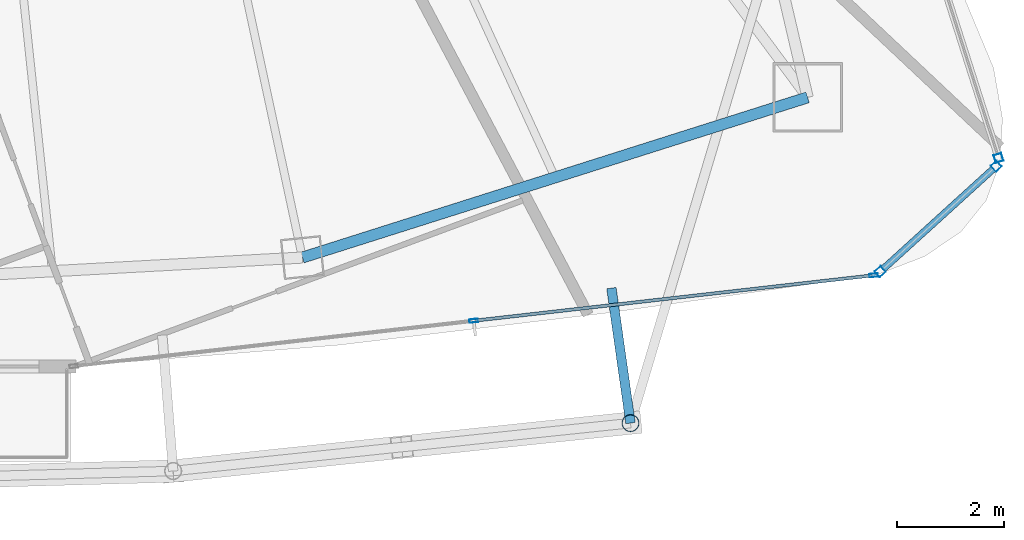
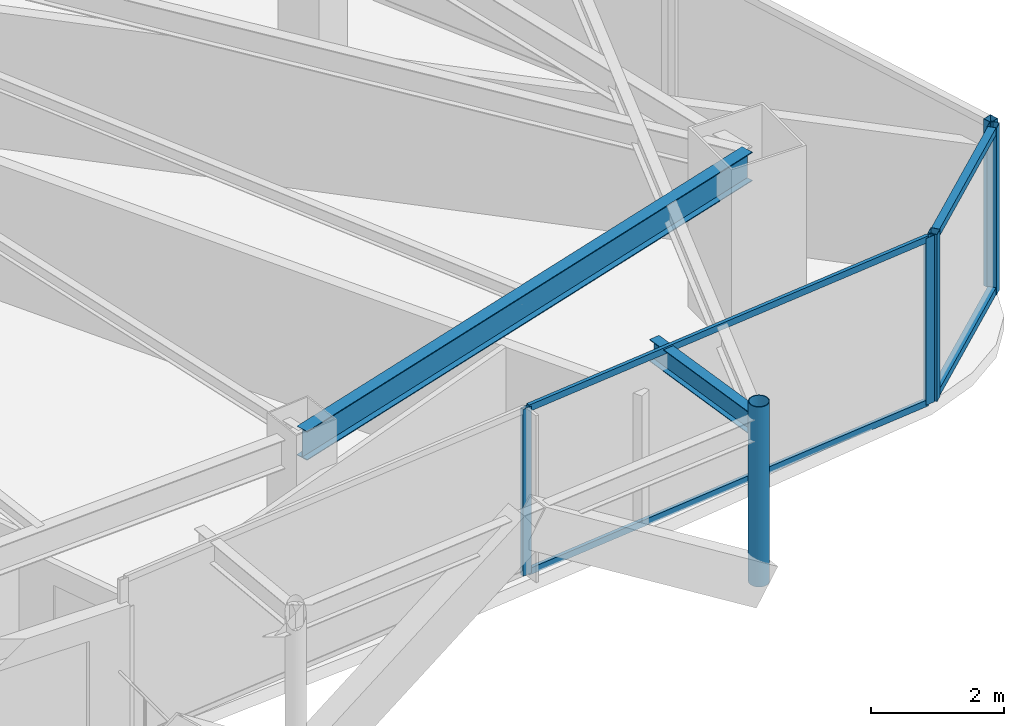
# One storey, part 14 of 30: 10 members, 2 beams, 3 elements without a shape of their own.
"""IFC4 building model written with IfcOpenShell, lengths in metres."""

from ifc_helpers import new_model, si_unit, direction, frame, origin, origin_2d, place, context, subcontext, project, spatial, hollow_rectangle, hollow_circle, i_section, extrude, material, layer, layer_set, material_profile, profile_set, type_object, element, aggregate, save


model = new_model("IFC4")

# Units and contexts
model_context = context("Model", 3, precision=1e-05, world=origin(), true_north=direction((0.0, 1.0)))
body_context = subcontext(model_context, "Body", "Model", "MODEL_VIEW")
ifc_project = project(units=[si_unit("LENGTHUNIT", "METRE"), si_unit("AREAUNIT", "SQUARE_METRE"), si_unit("VOLUMEUNIT", "CUBIC_METRE"), si_unit("PLANEANGLEUNIT", "RADIAN"), si_unit("MASSUNIT", "GRAM", prefix="KILO")], contexts=[model_context])

# Site, building, storey
site_placement = place(None, origin())
site = spatial("IfcSite", under=ifc_project, at=site_placement, CompositionType="ELEMENT")
building_placement = place(site_placement, origin())
building = spatial("IfcBuilding", under=site, at=building_placement, Name="Orvanel Arch Residences", CompositionType="ELEMENT")
storey_placement = place(building_placement, frame((0.0, 0.0, 240.35009765625)))
storey = spatial("IfcBuildingStorey", under=building, at=storey_placement, Name="L68", CompositionType="ELEMENT", Elevation=240.35009765625)

# Curtain wall, members
ifc_material_1 = material(Name="Bronze-anodised aluminium AA6063-T6", Category="aluminium")
ifc_layer_1 = layer(ifc_material_1, 0.18994140625)
ifc_layer_set_1 = layer_set([ifc_layer_1], Name="Bronze-anodised aluminium AA6063-T6")
curtain_wall_type_1 = type_object("IfcCurtainWallType", Name="CW5-CRN-SYS", PredefinedType="NOTDEFINED", material=ifc_layer_set_1)
curtain_wall_1_placement = place(storey_placement, origin())
curtain_wall_1 = element("IfcCurtainWall", 1, at=curtain_wall_1_placement, inside=storey, type_object=curtain_wall_type_1, Name="L68 CW5-CRN-SYS Unitised Curtain Wall", PredefinedType="NOTDEFINED")
ifc_material_profile_1 = material_profile(ifc_material_1, hollow_rectangle(XDim=0.14990234375, YDim=0.14990234375, WallThickness=0.0048828125, at=origin_2d()), Name="ALU150x150x5")
ifc_profile_set_1 = profile_set([ifc_material_profile_1], Name="Bronze-anodised aluminium AA6063-T6")
member_type_1 = type_object("IfcMemberType", Name="MUL-150x150", PredefinedType="MULLION", material=ifc_profile_set_1)
member_1_placement = place(storey_placement, frame((53.159423828125, 7.092529296875, 0.0), z_axis=(0.0, 0.0, 1.0), x_axis=(-0.672382005775, 0.740204322001, 0.0)))
member_1 = element("IfcMember", 2, at=member_1_placement, type_object=member_type_1, Name="CW-S5 mullion 1", PredefinedType="MULLION", context=body_context, shape_type="SweptSolid", body=[
    extrude(hollow_rectangle(XDim=0.14990234375, YDim=0.14990234375, WallThickness=0.0048828125, at=origin_2d()), origin(), (0.0, 0.0, 1.0), 3.059814453125),
])
member_2_placement = place(storey_placement, frame((55.32958984375, 9.0634765625, 0.0), z_axis=(0.0, 0.0, 1.0), x_axis=(-0.672382005775, 0.740204322001, 0.0)))
member_2 = element("IfcMember", 3, at=member_2_placement, type_object=member_type_1, Name="CW-S5 mullion 2", PredefinedType="MULLION", context=body_context, shape_type="SweptSolid", body=[
    extrude(hollow_rectangle(XDim=0.14990234375, YDim=0.14990234375, WallThickness=0.0048828125, at=origin_2d()), origin(), (0.0, 0.0, 1.0), 3.059814453125),
])

# Curtain wall, member
curtain_wall_2_placement = place(storey_placement, origin())
curtain_wall_2 = element("IfcCurtainWall", 4, at=curtain_wall_2_placement, inside=storey, type_object=curtain_wall_type_1, Name="L68 CW5-CRN-SYS Unitised Curtain Wall", PredefinedType="NOTDEFINED")
member_3_placement = place(storey_placement, frame((55.371337890625, 9.217529296875, 0.0), z_axis=(0.0, 0.0, 1.0), x_axis=(-0.952801726678, -0.303593263494, 0.0)))
member_3 = element("IfcMember", 5, at=member_3_placement, type_object=member_type_1, Name="CW-S5 mullion 1", PredefinedType="MULLION", context=body_context, shape_type="SweptSolid", body=[
    extrude(hollow_rectangle(XDim=0.14990234375, YDim=0.14990234375, WallThickness=0.0048828125, at=origin_2d()), origin(), (0.0, 0.0, 1.0), 3.059814453125),
])
aggregate(curtain_wall_2, [member_3])

# Curtain wall, members
ifc_layer_2 = layer(ifc_material_1, 0.175048828125)
ifc_layer_set_2 = layer_set([ifc_layer_2], Name="Bronze-anodised aluminium AA6063-T6")
curtain_wall_type_2 = type_object("IfcCurtainWallType", Name="CW4-HI-SYS", PredefinedType="NOTDEFINED", material=ifc_layer_set_2)
curtain_wall_3_placement = place(storey_placement, origin())
curtain_wall_3 = element("IfcCurtainWall", 6, at=curtain_wall_3_placement, inside=storey, type_object=curtain_wall_type_2, Name="L68 CW4-HI-SYS Unitised Curtain Wall", PredefinedType="NOTDEFINED")
ifc_material_profile_2 = material_profile(ifc_material_1, hollow_rectangle(XDim=0.06494140625, YDim=0.159912109375, WallThickness=0.00390625, at=origin_2d()), Name="ALU160x65x4")
ifc_profile_set_2 = profile_set([ifc_material_profile_2], Name="Bronze-anodised aluminium AA6063-T6")
member_type_2 = type_object("IfcMemberType", Name="MUL-160x65", PredefinedType="MULLION", material=ifc_profile_set_2)
member_4_placement = place(storey_placement, frame((45.555419921875, 6.172607421875, 0.0), z_axis=(0.0, 0.0, 1.0), x_axis=(-0.113000186209, 0.993594966733, 0.0)))
member_4 = element("IfcMember", 7, at=member_4_placement, type_object=member_type_2, Name="CW-S4 mullion 2", PredefinedType="MULLION", context=body_context, shape_type="SweptSolid", body=[
    extrude(hollow_rectangle(XDim=0.06494140625, YDim=0.159912109375, WallThickness=0.00390625, at=origin_2d()), origin(), (0.0, 0.0, 1.0), 3.059814453125),
])
member_5_placement = place(storey_placement, frame((53.03662109375, 7.0234375, 0.0), z_axis=(0.0, 0.0, 1.0), x_axis=(-0.113000186209, 0.993594966733, 0.0)))
member_5 = element("IfcMember", 8, at=member_5_placement, type_object=member_type_2, Name="CW-S4 mullion 3", PredefinedType="MULLION", context=body_context, shape_type="SweptSolid", body=[
    extrude(hollow_rectangle(XDim=0.06494140625, YDim=0.159912109375, WallThickness=0.00390625, at=origin_2d()), origin(), (0.0, 0.0, 1.0), 3.059814453125),
])

# Beams
ifc_material_2 = material(Name="Structural steel AS/NZS 3679.1 Grade 300 (300 MPa)", Category="steel")
ifc_material_profile_3 = material_profile(ifc_material_2, i_section(OverallWidth=0.177978515625, OverallDepth=0.406005859375, WebThickness=0.0078125, FlangeThickness=0.0126953125, at=origin_2d()), Name="410UB59.7")
ifc_profile_set_3 = profile_set([ifc_material_profile_3], Name="Structural steel AS/NZS 3679.1 Grade 300 (300 MPa)")
beam_type_1 = type_object("IfcBeamType", Name="OB-410UB-EXT", PredefinedType="SPANDREL", material=ifc_profile_set_3)
beam_1_placement = place(storey_placement, frame((48.131103515625, 6.782958984375, 2.85693359375), z_axis=(0.139973598462, -0.990155236179, 0.0), x_axis=(0.990155236179, 0.139973598462, 0.0)))
element("IfcBeam", 9, at=beam_1_placement, inside=storey, type_object=beam_type_1, Name="L68 Outer Frame Radial Tie Beam 08", PredefinedType="SPANDREL", context=body_context, shape_type="SweptSolid", body=[
    extrude(i_section(OverallWidth=0.177978515625, OverallDepth=0.406005859375, WebThickness=0.0078125, FlangeThickness=0.0126953125, at=origin_2d()), origin(), (0.0, 0.0, 1.0), 2.550048828125),
])
ifc_material_profile_4 = material_profile(ifc_material_2, i_section(OverallWidth=0.208984375, OverallDepth=0.532958984375, WebThickness=0.01025390625, FlangeThickness=0.015625, at=origin_2d()), Name="530UB92.4")
ifc_profile_set_4 = profile_set([ifc_material_profile_4], Name="Structural steel AS/NZS 3679.1 Grade 300 (300 MPa)")
beam_type_2 = type_object("IfcBeamType", Name="SP-530UB", PredefinedType="SPANDREL", material=ifc_profile_set_4)
beam_2_placement = place(storey_placement, frame((42.35107421875, 7.35498046875, 2.79296875), z_axis=(0.953237386592, 0.302222574941, 0.0), x_axis=(-0.302222574941, 0.953237386592, 0.0)))
element("IfcBeam", 10, at=beam_2_placement, inside=storey, type_object=beam_type_2, Name="L68 Perimeter Spandrel Beam 05", PredefinedType="SPANDREL", context=body_context, shape_type="SweptSolid", body=[
    extrude(i_section(OverallWidth=0.208984375, OverallDepth=0.532958984375, WebThickness=0.01025390625, FlangeThickness=0.015625, at=origin_2d()), origin(), (0.0, 0.0, 1.0), 9.91357421875),
])

# Member
ifc_material_3 = material(Name="Structural steel AS/NZS 1163 C350L0 (Grade 350)", Category="steel")
ifc_material_profile_5 = material_profile(ifc_material_3, hollow_circle(Radius=0.162109375, WallThickness=0.0126953125, at=origin_2d()), Name="CHS324x12.7")
ifc_profile_set_5 = profile_set([ifc_material_profile_5], Name="Structural steel AS/NZS 1163 C350L0 (Grade 350)")
member_type_3 = type_object("IfcMemberType", Name="ST-324CHS-EXT", PredefinedType="STRUT", material=ifc_profile_set_5)
member_6_placement = place(storey_placement, frame((48.488037109375, 4.258056640625, 0.0), z_axis=(0.0, 0.0, 1.0), x_axis=(1.0, 0.0, 0.0)))
element("IfcMember", 11, at=member_6_placement, inside=storey, type_object=member_type_3, Name="L68 Outer Perimeter Frame Post 08", PredefinedType="STRUT", context=body_context, shape_type="SweptSolid", body=[
    extrude(hollow_circle(Radius=0.162109375, WallThickness=0.0126953125, at=origin_2d()), origin(), (0.0, 0.0, 1.0), 3.2998046875),
])

ifc_material_profile_6 = material_profile(ifc_material_1, hollow_rectangle(XDim=0.06005859375, YDim=0.1201171875, WallThickness=0.00341796875, at=origin_2d()), Name="ALU120x60x3.5")
ifc_profile_set_6 = profile_set([ifc_material_profile_6], Name="Bronze-anodised aluminium AA6063-T6")
member_type_4 = type_object("IfcMemberType", Name="TRN-120x60", PredefinedType="USERDEFINED", material=ifc_profile_set_6)
member_7_placement = place(storey_placement, frame((45.587890625, 6.17626953125, 0.02978515625), z_axis=(0.993594408801, 0.113005091922, 0.0), x_axis=(-0.113005091922, 0.993594408801, 0.0)))
member_7 = element("IfcMember", 12, at=member_7_placement, type_object=member_type_4, Name="CW-S4 transom 2.1", ObjectType="TRANSOM", PredefinedType="USERDEFINED", context=body_context, shape_type="SweptSolid", body=[
    extrude(hollow_rectangle(XDim=0.06005859375, YDim=0.1201171875, WallThickness=0.00341796875, at=origin_2d()), origin(), (0.0, 0.0, 1.0), 7.46435546875),
])

member_8_placement = place(storey_placement, frame((45.587890625, 6.17626953125, 3.02978515625), z_axis=(0.993594408801, 0.113005091922, 0.0), x_axis=(-0.113005091922, 0.993594408801, 0.0)))
member_8 = element("IfcMember", 13, at=member_8_placement, type_object=member_type_4, Name="CW-S4 transom 2.2", ObjectType="TRANSOM", PredefinedType="USERDEFINED", context=body_context, shape_type="SweptSolid", body=[
    extrude(hollow_rectangle(XDim=0.06005859375, YDim=0.1201171875, WallThickness=0.00341796875, at=origin_2d()), origin(), (0.0, 0.0, 1.0), 7.46435546875),
])

aggregate(curtain_wall_3, [member_4, member_5, member_7, member_8])

ifc_material_profile_7 = material_profile(ifc_material_1, hollow_rectangle(XDim=0.1298828125, YDim=0.1298828125, WallThickness=0.00439453125, at=origin_2d()), Name="ALU130x130x4.5")
ifc_profile_set_7 = profile_set([ifc_material_profile_7], Name="Bronze-anodised aluminium AA6063-T6")
member_type_5 = type_object("IfcMemberType", Name="TRN-130x130", PredefinedType="USERDEFINED", material=ifc_profile_set_7)
member_9_placement = place(storey_placement, frame((53.215087890625, 7.142822265625, 0.06494140625), z_axis=(0.740174349749, 0.672414999813, 0.0), x_axis=(-0.672414999813, 0.740174349749, 0.0)))
member_9 = element("IfcMember", 14, at=member_9_placement, type_object=member_type_5, Name="CW-S5 transom 1.1", ObjectType="TRANSOM", PredefinedType="USERDEFINED", context=body_context, shape_type="SweptSolid", body=[
    extrude(hollow_rectangle(XDim=0.1298828125, YDim=0.1298828125, WallThickness=0.00439453125, at=origin_2d()), origin(), (0.0, 0.0, 1.0), 2.781494140625),
])

member_10_placement = place(storey_placement, frame((53.215087890625, 7.142822265625, 2.994873046875), z_axis=(0.740174349749, 0.672414999813, 0.0), x_axis=(-0.672414999813, 0.740174349749, 0.0)))
member_10 = element("IfcMember", 15, at=member_10_placement, type_object=member_type_5, Name="CW-S5 transom 1.2", ObjectType="TRANSOM", PredefinedType="USERDEFINED", context=body_context, shape_type="SweptSolid", body=[
    extrude(hollow_rectangle(XDim=0.1298828125, YDim=0.1298828125, WallThickness=0.00439453125, at=origin_2d()), origin(), (0.0, 0.0, 1.0), 2.781494140625),
])

aggregate(curtain_wall_1, [member_1, member_2, member_9, member_10])

save(model, "model.ifc")
